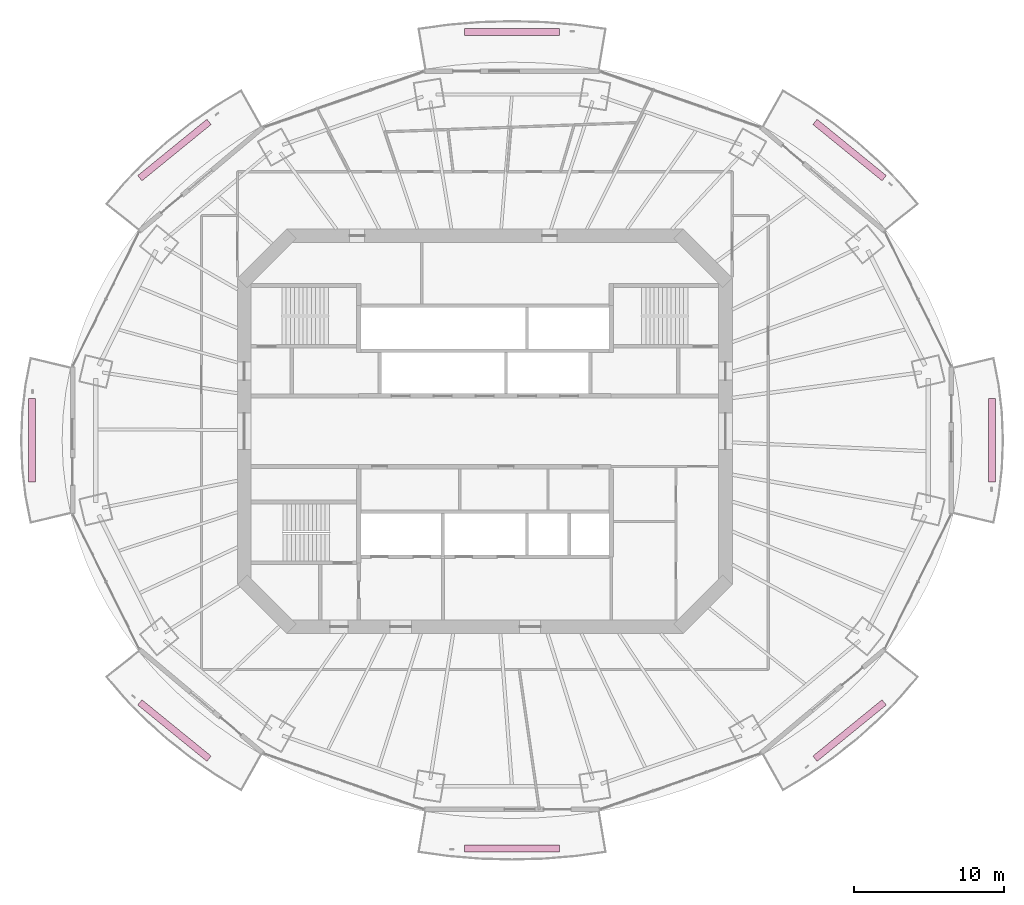
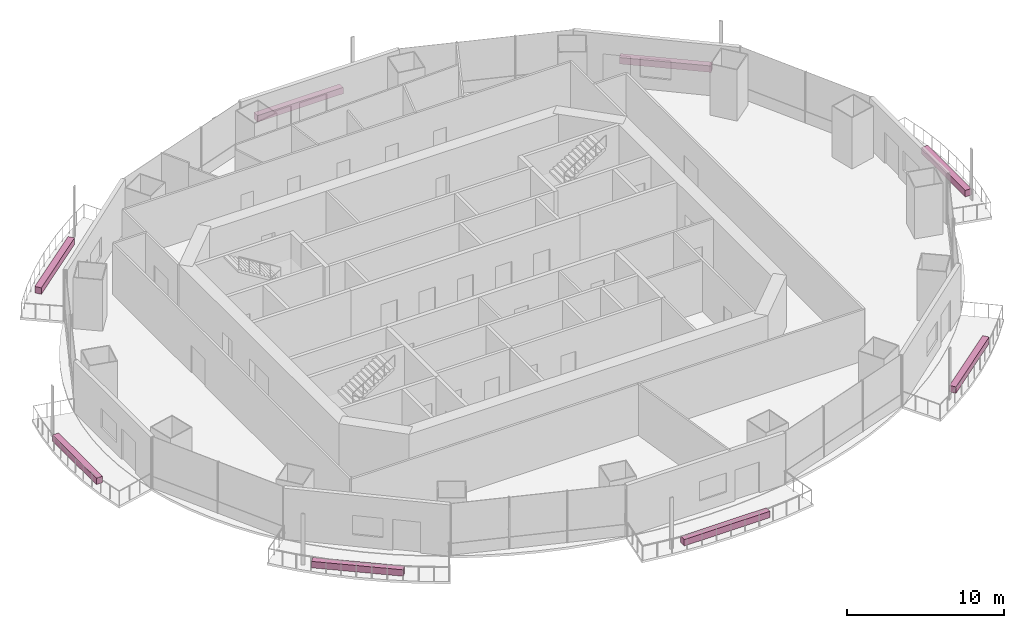
# One storey, part 19 of 19: 8 furnishings.
"""IFC4 building model written with IfcOpenShell, lengths in metres."""

from ifc_helpers import new_model, si_unit, direction, frame, origin, origin_2d, place, context, subcontext, project, spatial, rectangle, extrude, material, type_object, element, save


model = new_model("IFC4")

# Units and contexts
model_context = context("Model", 3, precision=1e-05, world=origin(), true_north=direction((0.0, 1.0)))
body_context = subcontext(model_context, "Body", "Model", "MODEL_VIEW")
ifc_project = project(units=[si_unit("LENGTHUNIT", "METRE"), si_unit("AREAUNIT", "SQUARE_METRE"), si_unit("VOLUMEUNIT", "CUBIC_METRE"), si_unit("PLANEANGLEUNIT", "RADIAN"), si_unit("MASSUNIT", "GRAM", prefix="KILO")], contexts=[model_context])

# Site, building, storey
site_placement = place(None, origin())
site = spatial("IfcSite", under=ifc_project, at=site_placement, CompositionType="ELEMENT")
building_placement = place(site_placement, origin())
building = spatial("IfcBuilding", under=site, at=building_placement, Name="Marenthal Gate Tower", CompositionType="ELEMENT")
storey_placement = place(building_placement, frame((0.0, 0.0, 256.5)))
storey = spatial("IfcBuildingStorey", under=building, at=storey_placement, Name="L57", CompositionType="ELEMENT", Elevation=256.5)

# Furnishings
ifc_material = material(Name="Planting soil and foliage", Category="planting")
furnishing_element_type = type_object("IfcFurnishingElementType", Name="Balcony PLANTER trough", material=ifc_material)
furnishing_1_placement = place(storey_placement, frame((24.252197265625, 18.70556640625, -0.0400390625), z_axis=(0.0, 0.0, 1.0), x_axis=(-0.775504650552, 0.631341854285, 0.0)))
element("IfcFurnishingElement", 1, at=furnishing_1_placement, inside=storey, type_object=furnishing_element_type, Name="Balcony PLANTER L57 bay 2", ObjectType="PLANTER", context=body_context, shape_type="SweptSolid", body=[
    extrude(rectangle(XDim=5.931640625, YDim=0.449951171875, at=origin_2d()), origin(), (0.0, 0.0, 1.0), 0.5),
])
furnishing_2_placement = place(storey_placement, frame((1.800048828125, 26.549072265625, -0.0400390625), z_axis=(0.0, 0.0, 1.0), x_axis=(-1.0, 0.0, 0.0)))
element("IfcFurnishingElement", 2, at=furnishing_2_placement, inside=storey, type_object=furnishing_element_type, Name="Balcony PLANTER L57 bay 4", ObjectType="PLANTER", context=body_context, shape_type="SweptSolid", body=[
    extrude(rectangle(XDim=6.299560546875, YDim=0.449951171875, at=origin_2d()), origin(), (0.0, 0.0, 1.0), 0.5),
])
furnishing_3_placement = place(storey_placement, frame((-20.65234375, 18.70556640625, -0.0400390625), z_axis=(0.0, 0.0, 1.0), x_axis=(-0.775504650552, -0.631341854285, 0.0)))
element("IfcFurnishingElement", 3, at=furnishing_3_placement, inside=storey, type_object=furnishing_element_type, Name="Balcony PLANTER L57 bay 6", ObjectType="PLANTER", context=body_context, shape_type="SweptSolid", body=[
    extrude(rectangle(XDim=5.931640625, YDim=0.449951171875, at=origin_2d()), origin(), (0.0, 0.0, 1.0), 0.5),
])
furnishing_4_placement = place(storey_placement, frame((-30.117919921875, -0.60009765625, -0.0400390625), z_axis=(0.0, 0.0, 1.0), x_axis=(0.0, -1.0, 0.0)))
element("IfcFurnishingElement", 4, at=furnishing_4_placement, inside=storey, type_object=furnishing_element_type, Name="Balcony PLANTER L57 bay 8", ObjectType="PLANTER", context=body_context, shape_type="SweptSolid", body=[
    extrude(rectangle(XDim=5.552001953125, YDim=0.449951171875, at=origin_2d()), origin(), (0.0, 0.0, 1.0), 0.5),
])
furnishing_5_placement = place(storey_placement, frame((-20.65234375, -19.905517578125, -0.0400390625), z_axis=(0.0, 0.0, 1.0), x_axis=(0.775504650552, -0.631341854285, 0.0)))
element("IfcFurnishingElement", 5, at=furnishing_5_placement, inside=storey, type_object=furnishing_element_type, Name="Balcony PLANTER L57 bay 10", ObjectType="PLANTER", context=body_context, shape_type="SweptSolid", body=[
    extrude(rectangle(XDim=5.931640625, YDim=0.449951171875, at=origin_2d()), origin(), (0.0, 0.0, 1.0), 0.5),
])
furnishing_6_placement = place(storey_placement, frame((1.800048828125, -27.7490234375, -0.0400390625), z_axis=(0.0, 0.0, 1.0), x_axis=(1.0, 0.0, 0.0)))
element("IfcFurnishingElement", 6, at=furnishing_6_placement, inside=storey, type_object=furnishing_element_type, Name="Balcony PLANTER L57 bay 12", ObjectType="PLANTER", context=body_context, shape_type="SweptSolid", body=[
    extrude(rectangle(XDim=6.299560546875, YDim=0.449951171875, at=origin_2d()), origin(), (0.0, 0.0, 1.0), 0.5),
])
furnishing_7_placement = place(storey_placement, frame((24.252197265625, -19.905517578125, -0.0400390625), z_axis=(0.0, 0.0, 1.0), x_axis=(0.775504650552, 0.631341854285, 0.0)))
element("IfcFurnishingElement", 7, at=furnishing_7_placement, inside=storey, type_object=furnishing_element_type, Name="Balcony PLANTER L57 bay 14", ObjectType="PLANTER", context=body_context, shape_type="SweptSolid", body=[
    extrude(rectangle(XDim=5.931640625, YDim=0.449951171875, at=origin_2d()), origin(), (0.0, 0.0, 1.0), 0.5),
])
furnishing_8_placement = place(storey_placement, frame((33.718017578125, -0.60009765625, -0.0400390625), z_axis=(0.0, 0.0, 1.0), x_axis=(0.0, 1.0, 0.0)))
element("IfcFurnishingElement", 8, at=furnishing_8_placement, inside=storey, type_object=furnishing_element_type, Name="Balcony PLANTER L57 bay 16", ObjectType="PLANTER", context=body_context, shape_type="SweptSolid", body=[
    extrude(rectangle(XDim=5.552001953125, YDim=0.449951171875, at=origin_2d()), origin(), (0.0, 0.0, 1.0), 0.5),
])

save(model, "model.ifc")
